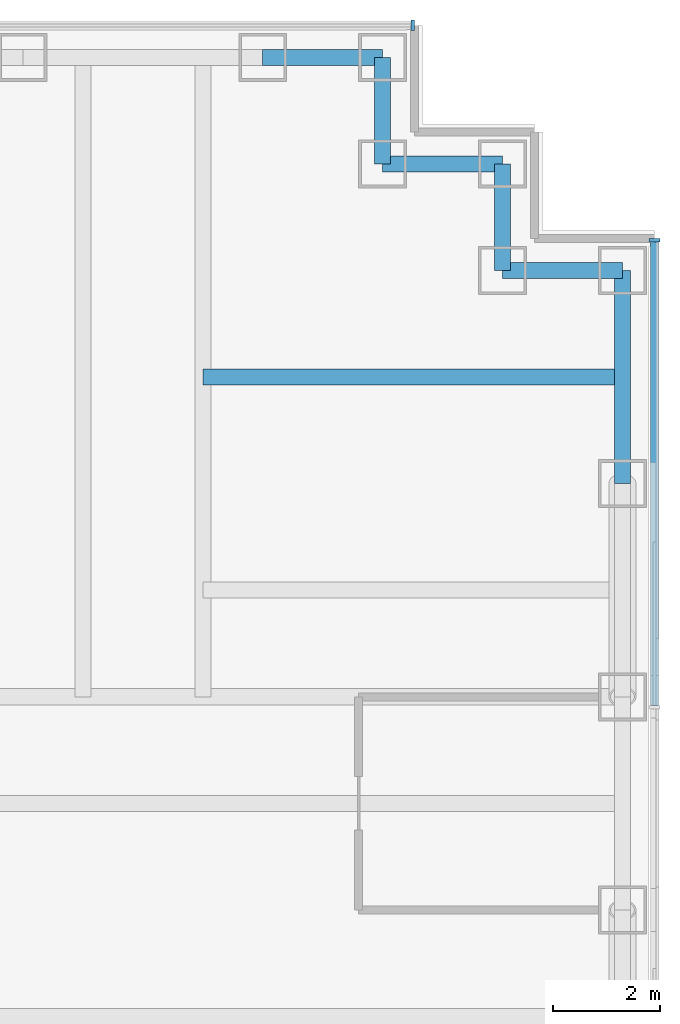
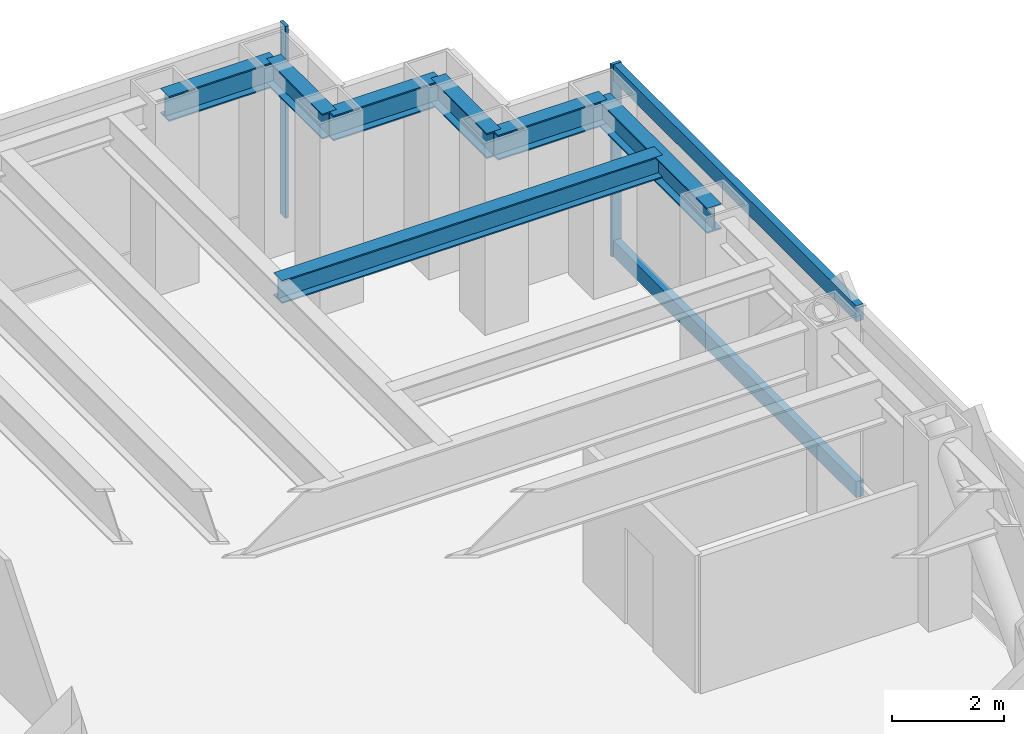
# One storey, part 9 of 17: 7 beams, 4 members, 2 elements without a shape of their own.
"""IFC4 building model written with IfcOpenShell, lengths in metres."""

from ifc_helpers import new_model, si_unit, direction, frame, origin, origin_2d, place, context, subcontext, project, spatial, rectangle, i_section, extrude, material, material_profile, profile_set, type_object, element, aggregate, save


model = new_model("IFC4")

# Units and contexts
model_context = context("Model", 3, precision=1e-05, world=origin(), true_north=direction((0.0, 1.0)))
body_context = subcontext(model_context, "Body", "Model", "MODEL_VIEW")
ifc_project = project(units=[si_unit("LENGTHUNIT", "METRE"), si_unit("AREAUNIT", "SQUARE_METRE"), si_unit("VOLUMEUNIT", "CUBIC_METRE"), si_unit("PLANEANGLEUNIT", "RADIAN"), si_unit("MASSUNIT", "GRAM", prefix="KILO")], contexts=[model_context])

# Site, building, storey
site_placement = place(None, origin())
site = spatial("IfcSite", under=ifc_project, at=site_placement, CompositionType="ELEMENT")
building_placement = place(site_placement, origin())
building = spatial("IfcBuilding", under=site, at=building_placement, Name="Rheinbord Bourse Tower", CompositionType="ELEMENT")
storey_placement = place(building_placement, frame((0.0, 0.0, 317.300048828125)))
storey = spatial("IfcBuildingStorey", under=building, at=storey_placement, Name="L72", CompositionType="ELEMENT", Elevation=317.300048828125)

# Curtain wall, member
ifc_material_1 = material(Name="Dark glass and black aluminium", Category="aluminium")
curtain_wall_type = type_object("IfcCurtainWallType", Name="CW3 DARK GLASS CURTAIN WALL", PredefinedType="USERDEFINED", material=ifc_material_1)
curtain_wall_1_placement = place(storey_placement, origin())
curtain_wall_1 = element("IfcCurtainWall", 1, at=curtain_wall_1_placement, inside=storey, type_object=curtain_wall_type, Name="Curtain wall CW3 E L72", ObjectType="UNITISED CURTAIN WALL", PredefinedType="USERDEFINED")
ifc_material_2 = material(Name="Black anodised aluminium", Category="aluminium")
ifc_material_profile_1 = material_profile(ifc_material_2, rectangle(XDim=0.199951171875, YDim=0.06494140625, at=origin_2d()), Name="CW3 MULLION 65x200")
ifc_profile_set_1 = profile_set([ifc_material_profile_1], Name="Black anodised aluminium")
member_type_1 = type_object("IfcMemberType", Name="CW3 BLACK MULLION", PredefinedType="MULLION", material=ifc_profile_set_1)
member_1_placement = place(storey_placement, frame((70.35009765625, 40.5673828125, 0.0), z_axis=(0.0, 0.0, 1.0), x_axis=(-1.0, 0.0, 0.0)))
member_1 = element("IfcMember", 2, at=member_1_placement, type_object=member_type_1, Name="CW3 mullion 5", PredefinedType="MULLION", context=body_context, shape_type="SweptSolid", body=[
    extrude(rectangle(XDim=0.199951171875, YDim=0.06494140625, at=origin_2d()), origin(), (0.0, 0.0, 1.0), 4.199951171875),
])

curtain_wall_2_placement = place(storey_placement, origin())
curtain_wall_2 = element("IfcCurtainWall", 3, at=curtain_wall_2_placement, inside=storey, type_object=curtain_wall_type, Name="Curtain wall CW3 N L72", ObjectType="UNITISED CURTAIN WALL", PredefinedType="USERDEFINED")
member_2_placement = place(storey_placement, frame((65.8173828125, 44.60009765625, 0.0), z_axis=(0.0, 0.0, 1.0), x_axis=(0.0, -1.0, 0.0)))
member_2 = element("IfcMember", 4, at=member_2_placement, type_object=member_type_1, Name="CW3 mullion 1", PredefinedType="MULLION", context=body_context, shape_type="SweptSolid", body=[
    extrude(rectangle(XDim=0.199951171875, YDim=0.06494140625, at=origin_2d()), origin(), (0.0, 0.0, 1.0), 4.199951171875),
])
aggregate(curtain_wall_2, [member_2])

# Member
ifc_material_3 = material(Name="Black anodised aluminium", Category="aluminium")
ifc_material_profile_2 = material_profile(ifc_material_3, rectangle(XDim=0.14990234375, YDim=0.35009765625, at=origin_2d()), Name="CW3 TRANSOM 350x150")
ifc_profile_set_2 = profile_set([ifc_material_profile_2], Name="Black anodised aluminium")
member_type_2 = type_object("IfcMemberType", Name="CW3 BLACK TRANSOM", PredefinedType="USERDEFINED", material=ifc_profile_set_2)
member_3_placement = place(storey_placement, frame((70.35009765625, 31.83251953125, 0.175048828125), z_axis=(0.0, 1.0, 0.0), x_axis=(-1.0, 0.0, 0.0)))
member_3 = element("IfcMember", 5, at=member_3_placement, type_object=member_type_2, Name="CW3 transom 4.1", ObjectType="TRANSOM", PredefinedType="USERDEFINED", context=body_context, shape_type="SweptSolid", body=[
    extrude(rectangle(XDim=0.14990234375, YDim=0.35009765625, at=origin_2d()), origin(), (0.0, 0.0, 1.0), 8.702392578125),
])

member_4_placement = place(storey_placement, frame((70.35009765625, 31.83251953125, 4.02490234375), z_axis=(0.0, 1.0, 0.0), x_axis=(-1.0, 0.0, 0.0)))
member_4 = element("IfcMember", 6, at=member_4_placement, type_object=member_type_2, Name="CW3 transom 4.2", ObjectType="TRANSOM", PredefinedType="USERDEFINED", context=body_context, shape_type="SweptSolid", body=[
    extrude(rectangle(XDim=0.14990234375, YDim=0.35009765625, at=origin_2d()), origin(), (0.0, 0.0, 1.0), 8.702392578125),
])

aggregate(curtain_wall_1, [member_1, member_3, member_4])

# Beams
ifc_material_4 = material(Name="Steel S460", Category="steel")
ifc_material_profile_3 = material_profile(ifc_material_4, i_section(OverallWidth=0.300048828125, OverallDepth=0.550048828125, WebThickness=0.014892578125, FlangeThickness=0.029052734375, at=origin_2d()), Name="HEB 550")
ifc_profile_set_3 = profile_set([ifc_material_profile_3], Name="Steel S460")
beam_type_1 = type_object("IfcBeamType", Name="SPANDREL HEB 550", PredefinedType="SPANDREL", material=ifc_profile_set_3)
beam_1_placement = place(storey_placement, frame((69.75, 36.0, 3.764892578125), z_axis=(0.0, 1.0, 0.0), x_axis=(-1.0, 0.0, 0.0)))
element("IfcBeam", 7, at=beam_1_placement, inside=storey, type_object=beam_type_1, Name="Spandrel E-36-NE-A under L73", PredefinedType="SPANDREL", context=body_context, shape_type="SweptSolid", body=[
    extrude(i_section(OverallWidth=0.300048828125, OverallDepth=0.550048828125, WebThickness=0.014892578125, FlangeThickness=0.029052734375, at=origin_2d()), origin(), (0.0, 0.0, 1.0), 4.0),
])
beam_2_placement = place(storey_placement, frame((69.75, 40.0, 3.764892578125), z_axis=(-1.0, 0.0, 0.0), x_axis=(0.0, -1.0, 0.0)))
element("IfcBeam", 8, at=beam_2_placement, inside=storey, type_object=beam_type_1, Name="Spandrel NE-A-NE-B under L73", PredefinedType="SPANDREL", context=body_context, shape_type="SweptSolid", body=[
    extrude(i_section(OverallWidth=0.300048828125, OverallDepth=0.550048828125, WebThickness=0.014892578125, FlangeThickness=0.029052734375, at=origin_2d()), origin(), (0.0, 0.0, 1.0), 2.25),
])
beam_3_placement = place(storey_placement, frame((67.5, 40.0, 3.764892578125), z_axis=(0.0, 1.0, 0.0), x_axis=(-1.0, 0.0, 0.0)))
element("IfcBeam", 9, at=beam_3_placement, inside=storey, type_object=beam_type_1, Name="Spandrel NE-B-NE-C under L73", PredefinedType="SPANDREL", context=body_context, shape_type="SweptSolid", body=[
    extrude(i_section(OverallWidth=0.300048828125, OverallDepth=0.550048828125, WebThickness=0.014892578125, FlangeThickness=0.029052734375, at=origin_2d()), origin(), (0.0, 0.0, 1.0), 2.0),
])
beam_4_placement = place(storey_placement, frame((67.5, 42.0, 3.764892578125), z_axis=(-1.0, 0.0, 0.0), x_axis=(0.0, -1.0, 0.0)))
element("IfcBeam", 10, at=beam_4_placement, inside=storey, type_object=beam_type_1, Name="Spandrel NE-C-NE-D under L73", PredefinedType="SPANDREL", context=body_context, shape_type="SweptSolid", body=[
    extrude(i_section(OverallWidth=0.300048828125, OverallDepth=0.550048828125, WebThickness=0.014892578125, FlangeThickness=0.029052734375, at=origin_2d()), origin(), (0.0, 0.0, 1.0), 2.25),
])
beam_5_placement = place(storey_placement, frame((65.25, 42.0, 3.764892578125), z_axis=(0.0, 1.0, 0.0), x_axis=(-1.0, 0.0, 0.0)))
element("IfcBeam", 11, at=beam_5_placement, inside=storey, type_object=beam_type_1, Name="Spandrel NE-D-NE-E under L73", PredefinedType="SPANDREL", context=body_context, shape_type="SweptSolid", body=[
    extrude(i_section(OverallWidth=0.300048828125, OverallDepth=0.550048828125, WebThickness=0.014892578125, FlangeThickness=0.029052734375, at=origin_2d()), origin(), (0.0, 0.0, 1.0), 2.0),
])
beam_6_placement = place(storey_placement, frame((65.25, 44.0, 3.764892578125), z_axis=(-1.0, 0.0, 0.0), x_axis=(0.0, -1.0, 0.0)))
element("IfcBeam", 12, at=beam_6_placement, inside=storey, type_object=beam_type_1, Name="Spandrel NE-E-N-63 under L73", PredefinedType="SPANDREL", context=body_context, shape_type="SweptSolid", body=[
    extrude(i_section(OverallWidth=0.300048828125, OverallDepth=0.550048828125, WebThickness=0.014892578125, FlangeThickness=0.029052734375, at=origin_2d()), origin(), (0.0, 0.0, 1.0), 2.25),
])
ifc_material_5 = material(Name="Steel S460", Category="steel")
ifc_material_profile_4 = material_profile(ifc_material_5, i_section(OverallWidth=0.300048828125, OverallDepth=0.5, WebThickness=0.014404296875, FlangeThickness=0.028076171875, at=origin_2d()), Name="HEB 500")
ifc_profile_set_4 = profile_set([ifc_material_profile_4], Name="Steel S460")
beam_type_2 = type_object("IfcBeamType", Name="TIE BEAM HEB 500", PredefinedType="JOIST", material=ifc_profile_set_4)
beam_7_placement = place(storey_placement, frame((61.875, 38.0, 3.7900390625), z_axis=(1.0, 0.0, 0.0), x_axis=(0.0, 1.0, 0.0)))
element("IfcBeam", 13, at=beam_7_placement, inside=storey, type_object=beam_type_2, Name="Tie east 38 L73", PredefinedType="JOIST", context=body_context, shape_type="SweptSolid", body=[
    extrude(i_section(OverallWidth=0.300048828125, OverallDepth=0.5, WebThickness=0.014404296875, FlangeThickness=0.028076171875, at=origin_2d()), origin(), (0.0, 0.0, 1.0), 7.875),
])

save(model, "model.ifc")
